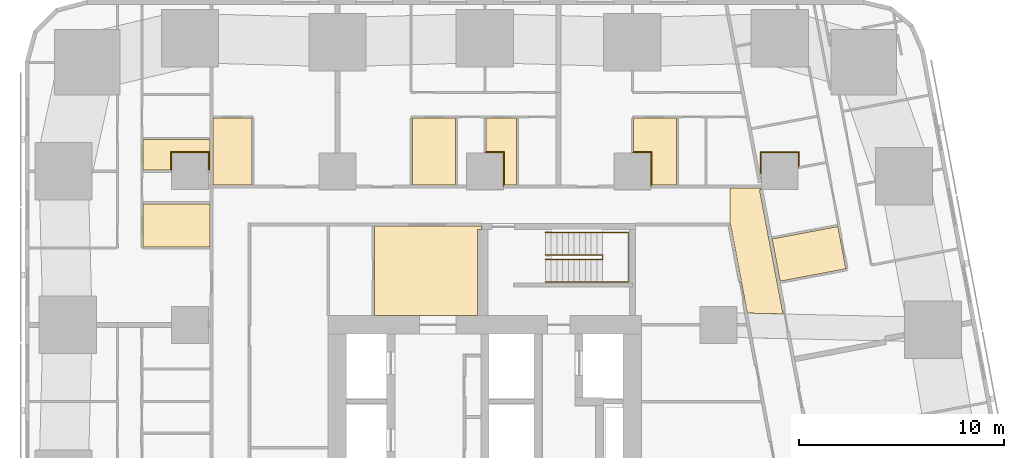
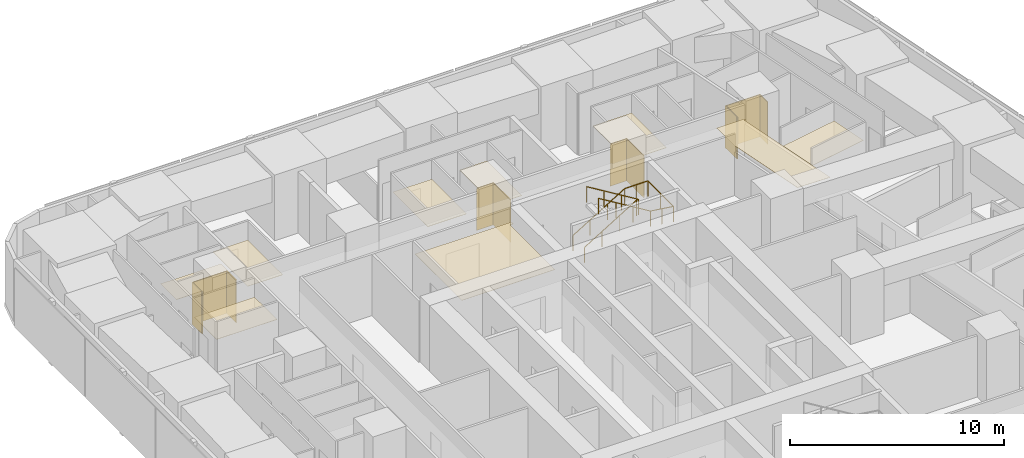
# One storey, part 18 of 18: 13 coverings, 2 railings.
"""IFC4 building model written with IfcOpenShell, lengths in metres."""

from ifc_helpers import new_model, si_unit, direction, frame, origin, origin_2d, place, context, subcontext, project, spatial, polyline, circle, outline, extrude, material, layer, layer_set, type_object, element, save


model = new_model("IFC4")

# Units and contexts
model_context = context("Model", 3, precision=1e-05, world=origin(), true_north=direction((0.0, 1.0)))
body_context = subcontext(model_context, "Body", "Model", "MODEL_VIEW")
ifc_project = project(units=[si_unit("LENGTHUNIT", "METRE"), si_unit("AREAUNIT", "SQUARE_METRE"), si_unit("VOLUMEUNIT", "CUBIC_METRE"), si_unit("PLANEANGLEUNIT", "RADIAN"), si_unit("MASSUNIT", "GRAM", prefix="KILO")], contexts=[model_context])

# Site, building, storey
site_placement = place(None, origin())
site = spatial("IfcSite", under=ifc_project, at=site_placement, CompositionType="ELEMENT")
building_placement = place(site_placement, origin())
building = spatial("IfcBuilding", under=site, at=building_placement, Name="Sheger Commons Tower", CompositionType="ELEMENT")
storey_placement = place(building_placement, frame((0.0, 0.0, 35.0)))
storey = spatial("IfcBuildingStorey", under=building, at=storey_placement, Name="L08", CompositionType="ELEMENT", Elevation=35.0)

# Railings
ifc_material_1 = material(Name="Steel handrail, black powder-coated", Category="steel")
railing_type = type_object("IfcRailingType", Name="HANDRAIL 900", PredefinedType="HANDRAIL", material=ifc_material_1)
railing_1_placement = place(storey_placement, frame((24.550048828125, 33.39990234375, 0.17041015625)))
element("IfcRailing", 1, at=railing_1_placement, inside=storey, type_object=railing_type, Name="Stair S2 handrail L08", PredefinedType="HANDRAIL", context=body_context, shape_type="SweptSolid", body=[
    extrude(circle(Radius=0.02392578125, at=origin_2d()), frame((0.0, 0.0, 0.8759765625), z_axis=(0.854169791009, 0.0, 0.51999420009), x_axis=(0.0, 1.0, 0.0)), (0.0, 0.0, 1.0), 3.278076171875),
    extrude(circle(Radius=0.02392578125, at=origin_2d()), frame((2.800048828125, 0.0, 2.58056640625), z_axis=(0.0, -0.761090297175, 0.648645943136), x_axis=(1.0, 0.0, 0.0)), (0.0, 0.0, 1.0), 0.2626953125),
    extrude(circle(Radius=0.02392578125, at=origin_2d()), frame((2.800048828125, -0.199951171875, 2.7509765625), z_axis=(-0.854169791009, 0.0, 0.51999420009), x_axis=(0.0, -1.0, 0.0)), (0.0, 0.0, 1.0), 3.278076171875),
    extrude(circle(Radius=0.02099609375, at=origin_2d()), origin(), (0.0, 0.0, 1.0), 0.851806640625),
    extrude(circle(Radius=0.02099609375, at=origin_2d()), frame((0.933349609375, 0.0, 0.568115234375)), (0.0, 0.0, 1.0), 0.851806640625),
    extrude(circle(Radius=0.02099609375, at=origin_2d()), frame((1.86669921875, 0.0, 1.136474609375)), (0.0, 0.0, 1.0), 0.851806640625),
    extrude(circle(Radius=0.02099609375, at=origin_2d()), frame((2.800048828125, 0.0, 1.70458984375)), (0.0, 0.0, 1.0), 0.851806640625),
    extrude(circle(Radius=0.02099609375, at=origin_2d()), frame((2.800048828125, -0.199951171875, 1.875)), (0.0, 0.0, 1.0), 0.851806640625),
    extrude(circle(Radius=0.02099609375, at=origin_2d()), frame((1.86669921875, -0.199951171875, 2.443115234375)), (0.0, 0.0, 1.0), 0.851806640625),
    extrude(circle(Radius=0.02099609375, at=origin_2d()), frame((0.933349609375, -0.199951171875, 3.011474609375)), (0.0, 0.0, 1.0), 0.851806640625),
    extrude(circle(Radius=0.02099609375, at=origin_2d()), frame((0.0, -0.199951171875, 3.57958984375)), (0.0, 0.0, 1.0), 0.851806640625),
])
railing_2_placement = place(storey_placement, frame((24.550048828125, 34.5, 0.17041015625)))
element("IfcRailing", 2, at=railing_2_placement, inside=storey, type_object=railing_type, Name="Stair S2 handrail L08", PredefinedType="HANDRAIL", context=body_context, shape_type="SweptSolid", body=[
    extrude(circle(Radius=0.02392578125, at=origin_2d()), frame((0.0, 0.0, 0.8759765625), z_axis=(0.854169791009, 0.0, 0.51999420009), x_axis=(0.0, 1.0, 0.0)), (0.0, 0.0, 1.0), 3.278076171875),
    extrude(circle(Radius=0.02392578125, at=origin_2d()), frame((2.800048828125, 0.0, 2.58056640625), z_axis=(1.0, 0.0, 0.0), x_axis=(0.0, 1.0, 0.0)), (0.0, 0.0, 1.0), 1.25),
    extrude(circle(Radius=0.02392578125, at=origin_2d()), frame((4.050048828125, 0.0, 2.58056640625), z_axis=(0.0, -1.0, 0.0), x_axis=(1.0, 0.0, 0.0)), (0.0, 0.0, 1.0), 2.39990234375),
    extrude(circle(Radius=0.02392578125, at=origin_2d()), frame((4.050048828125, -2.39990234375, 2.58056640625), z_axis=(-0.990834877927, 0.0, 0.135078661092), x_axis=(0.0, -1.0, 0.0)), (0.0, 0.0, 1.0), 1.261474609375),
    extrude(circle(Radius=0.02392578125, at=origin_2d()), frame((2.800048828125, -2.39990234375, 2.7509765625), z_axis=(-0.854169791009, 0.0, 0.51999420009), x_axis=(0.0, -1.0, 0.0)), (0.0, 0.0, 1.0), 3.278076171875),
    extrude(circle(Radius=0.02099609375, at=origin_2d()), origin(), (0.0, 0.0, 1.0), 0.851806640625),
    extrude(circle(Radius=0.02099609375, at=origin_2d()), frame((0.933349609375, 0.0, 0.568115234375)), (0.0, 0.0, 1.0), 0.851806640625),
    extrude(circle(Radius=0.02099609375, at=origin_2d()), frame((1.86669921875, 0.0, 1.136474609375)), (0.0, 0.0, 1.0), 0.851806640625),
    extrude(circle(Radius=0.02099609375, at=origin_2d()), frame((2.800048828125, 0.0, 1.70458984375)), (0.0, 0.0, 1.0), 0.851806640625),
    extrude(circle(Radius=0.02099609375, at=origin_2d()), frame((3.425048828125, 0.0, 1.70458984375)), (0.0, 0.0, 1.0), 0.851806640625),
    extrude(circle(Radius=0.02099609375, at=origin_2d()), frame((4.050048828125, 0.0, 1.70458984375)), (0.0, 0.0, 1.0), 0.851806640625),
    extrude(circle(Radius=0.02099609375, at=origin_2d()), frame((4.050048828125, -1.199951171875, 1.70458984375)), (0.0, 0.0, 1.0), 0.851806640625),
    extrude(circle(Radius=0.02099609375, at=origin_2d()), frame((4.050048828125, -2.39990234375, 1.70458984375)), (0.0, 0.0, 1.0), 0.851806640625),
    extrude(circle(Radius=0.02099609375, at=origin_2d()), frame((3.425048828125, -2.39990234375, 1.789794921875)), (0.0, 0.0, 1.0), 0.851806640625),
    extrude(circle(Radius=0.02099609375, at=origin_2d()), frame((2.800048828125, -2.39990234375, 1.875)), (0.0, 0.0, 1.0), 0.851806640625),
    extrude(circle(Radius=0.02099609375, at=origin_2d()), frame((1.86669921875, -2.39990234375, 2.443115234375)), (0.0, 0.0, 1.0), 0.851806640625),
    extrude(circle(Radius=0.02099609375, at=origin_2d()), frame((0.933349609375, -2.39990234375, 3.011474609375)), (0.0, 0.0, 1.0), 0.851806640625),
    extrude(circle(Radius=0.02099609375, at=origin_2d()), frame((0.0, -2.39990234375, 3.57958984375)), (0.0, 0.0, 1.0), 0.851806640625),
])

# Coverings
ifc_material_2 = material(Name="Moisture-resistant gypsum plasterboard 15 mm on a suspended galvanised steel grid", Category="steel")
ifc_layer_1 = layer(ifc_material_2, 0.014892578125)
ifc_layer_set_1 = layer_set([ifc_layer_1], Name="MOISTURE-RESISTANT CEILING 15")
covering_type_1 = type_object("IfcCoveringType", Name="MOISTURE-RESISTANT CEILING 15", PredefinedType="CEILING", material=ifc_layer_set_1)
covering_1_placement = place(storey_placement, frame((0.0, 0.0, 2.39990234375)))
element("IfcCovering", 3, at=covering_1_placement, inside=storey, type_object=covering_type_1, Name="L08-03.B1 ceiling", PredefinedType="CEILING", context=body_context, shape_type="SweptSolid", body=[
    extrude(outline(polyline([(4.905029296875, 33.804931640625), (8.169921875, 33.804931640625), (8.169921875, 35.905029296875), (4.905029296875, 35.905029296875), (4.905029296875, 33.804931640625)])), origin(), (0.0, 0.0, 1.0), 0.01513671875),
])
covering_2_placement = place(storey_placement, frame((0.0, 0.0, 2.39990234375)))
element("IfcCovering", 4, at=covering_2_placement, inside=storey, type_object=covering_type_1, Name="L08-03.B2 ceiling", PredefinedType="CEILING", context=body_context, shape_type="SweptSolid", body=[
    extrude(outline(polyline([(4.905029296875, 37.554931640625), (6.294921875, 37.554931640625), (6.294921875, 38.405029296875), (8.10498046875, 38.405029296875), (8.10498046875, 37.554931640625), (8.169921875, 37.554931640625), (8.169921875, 39.044921875), (4.905029296875, 39.044921875), (4.905029296875, 37.554931640625)])), origin(), (0.0, 0.0, 1.0), 0.01513671875),
])
covering_3_placement = place(storey_placement, frame((0.0, 0.0, 2.39990234375)))
element("IfcCovering", 5, at=covering_3_placement, inside=storey, type_object=covering_type_1, Name="L08-08.B1 ceiling", PredefinedType="CEILING", context=body_context, shape_type="SweptSolid", body=[
    extrude(outline(polyline([(36.01708984375, 32.1298828125), (39.22412109375, 32.736083984375), (38.833984375, 34.800048828125), (35.626953125, 34.194091796875), (36.01708984375, 32.1298828125)])), origin(), (0.0, 0.0, 1.0), 0.01513671875),
])
covering_4_placement = place(storey_placement, frame((0.0, 0.0, 2.39990234375)))
element("IfcCovering", 6, at=covering_4_placement, inside=storey, type_object=covering_type_1, Name="L08-11.B1 ceiling", PredefinedType="CEILING", context=body_context, shape_type="SweptSolid", body=[
    extrude(outline(polyline([(8.330078125, 36.830078125), (10.22412109375, 36.830078125), (10.22412109375, 40.094970703125), (8.330078125, 40.094970703125), (8.330078125, 36.830078125)])), origin(), (0.0, 0.0, 1.0), 0.01513671875),
])
covering_5_placement = place(storey_placement, frame((0.0, 0.0, 2.39990234375)))
element("IfcCovering", 7, at=covering_5_placement, inside=storey, type_object=covering_type_1, Name="L08-12.B1 ceiling", PredefinedType="CEILING", context=body_context, shape_type="SweptSolid", body=[
    extrude(outline(polyline([(18.054931640625, 36.830078125), (20.155029296875, 36.830078125), (20.155029296875, 40.094970703125), (18.054931640625, 40.094970703125), (18.054931640625, 36.830078125)])), origin(), (0.0, 0.0, 1.0), 0.01513671875),
])
covering_6_placement = place(storey_placement, frame((0.0, 0.0, 2.39990234375)))
element("IfcCovering", 8, at=covering_6_placement, inside=storey, type_object=covering_type_1, Name="L08-12.B2 ceiling", PredefinedType="CEILING", context=body_context, shape_type="SweptSolid", body=[
    extrude(outline(polyline([(22.5048828125, 36.830078125), (23.14501953125, 36.830078125), (23.14501953125, 40.094970703125), (21.655029296875, 40.094970703125), (21.655029296875, 38.405029296875), (22.5048828125, 38.405029296875), (22.5048828125, 36.830078125)])), origin(), (0.0, 0.0, 1.0), 0.01513671875),
])
covering_7_placement = place(storey_placement, frame((0.0, 0.0, 2.39990234375)))
element("IfcCovering", 9, at=covering_7_placement, inside=storey, type_object=covering_type_1, Name="L08-13.B1 ceiling", PredefinedType="CEILING", context=body_context, shape_type="SweptSolid", body=[
    extrude(outline(polyline([(29.705078125, 36.830078125), (30.955078125, 36.830078125), (30.955078125, 40.094970703125), (28.85498046875, 40.094970703125), (28.85498046875, 38.405029296875), (29.705078125, 38.405029296875), (29.705078125, 36.830078125)])), origin(), (0.0, 0.0, 1.0), 0.01513671875),
])
ifc_material_3 = material(Name="Gypsum plasterboard 15 mm on a suspended steel grid", Category="steel")
ifc_layer_2 = layer(ifc_material_3, 0.014892578125)
ifc_layer_set_2 = layer_set([ifc_layer_2], Name="SUSPENDED CEILING 15")
covering_type_2 = type_object("IfcCoveringType", Name="SUSPENDED CEILING 15", PredefinedType="CEILING", material=ifc_layer_set_2)
covering_8_placement = place(storey_placement, frame((0.0, 0.0, 2.699951171875)))
element("IfcCovering", 10, at=covering_8_placement, inside=storey, type_object=covering_type_2, Name="L08-CO ceiling", PredefinedType="CEILING", context=body_context, shape_type="SweptSolid", body=[
    extrude(outline(polyline([(36.155029296875, 30.533935546875), (35.013916015625, 36.574951171875), (35.092041015625, 36.590087890625), (35.076904296875, 36.669921875), (33.572998046875, 36.669921875), (33.572998046875, 34.947998046875), (33.571044921875, 34.947998046875), (33.589111328125, 34.85205078125), (33.60595703125, 34.85498046875), (34.4150390625, 30.572998046875), (36.155029296875, 30.533935546875)])), origin(), (0.0, 0.0, 1.0), 0.01513671875),
])
covering_9_placement = place(storey_placement, frame((0.0, 0.0, 2.699951171875)))
element("IfcCovering", 11, at=covering_9_placement, inside=storey, type_object=covering_type_2, Name="L08-SVN1 ceiling", PredefinedType="CEILING", context=body_context, shape_type="SweptSolid", body=[
    extrude(outline(polyline([(16.217041015625, 30.455078125), (21.2451171875, 30.455078125), (21.2451171875, 34.655029296875), (21.445068359375, 34.655029296875), (21.445068359375, 34.83203125), (16.217041015625, 34.83203125), (16.217041015625, 30.455078125)])), origin(), (0.0, 0.0, 1.0), 0.01513671875),
])
ifc_material_4 = material(Name="Moisture-resistant gypsum board 12.5 mm on 25 mm treated timber battens, tanked and tiled", Category="wood")
ifc_layer_3 = layer(ifc_material_4, 0.050048828125)
ifc_layer_set_3 = layer_set([ifc_layer_3], Name="WET-ROOM COLUMN LINING")
covering_type_3 = type_object("IfcCoveringType", Name="WET-ROOM COLUMN LINING", PredefinedType="CLADDING", material=ifc_layer_set_3)
covering_10_placement = place(storey_placement, origin())
element("IfcCovering", 12, at=covering_10_placement, inside=storey, type_object=covering_type_3, Name="Shower room column lining C8 L08", PredefinedType="CLADDING", context=body_context, shape_type="SweptSolid", body=[
    extrude(outline(polyline([(8.14990234375, 38.449951171875), (8.14990234375, 37.550048828125), (8.10107421875, 37.550048828125), (8.10107421875, 37.5), (8.10009765625, 37.5), (8.10009765625, 38.39990234375), (6.300048828125, 38.39990234375), (6.300048828125, 37.5), (6.299072265625, 37.5), (6.299072265625, 37.550048828125), (6.25, 37.550048828125), (6.25, 38.449951171875), (8.14990234375, 38.449951171875)])), origin(), (0.0, 0.0, 1.0), 2.39990234375),
])
covering_11_placement = place(storey_placement, origin())
element("IfcCovering", 13, at=covering_11_placement, inside=storey, type_object=covering_type_3, Name="Shower room column lining C8 L08", PredefinedType="CLADDING", context=body_context, shape_type="SweptSolid", body=[
    extrude(outline(polyline([(22.550048828125, 36.824951171875), (22.5009765625, 36.824951171875), (22.5009765625, 36.75), (22.5, 36.75), (22.5, 38.39990234375), (21.60009765625, 38.39990234375), (21.60009765625, 38.40087890625), (21.64990234375, 38.40087890625), (21.64990234375, 38.449951171875), (22.550048828125, 38.449951171875), (22.550048828125, 36.824951171875)])), origin(), (0.0, 0.0, 1.0), 2.39990234375),
])
covering_12_placement = place(storey_placement, origin())
element("IfcCovering", 14, at=covering_12_placement, inside=storey, type_object=covering_type_3, Name="Bathroom column lining C8 L08", PredefinedType="CLADDING", context=body_context, shape_type="SweptSolid", body=[
    extrude(outline(polyline([(29.75, 36.824951171875), (29.700927734375, 36.824951171875), (29.700927734375, 36.75), (29.699951171875, 36.75), (29.699951171875, 38.39990234375), (28.800048828125, 38.39990234375), (28.800048828125, 38.40087890625), (28.85009765625, 38.40087890625), (28.85009765625, 38.449951171875), (29.75, 38.449951171875), (29.75, 36.824951171875)])), origin(), (0.0, 0.0, 1.0), 2.39990234375),
])
covering_13_placement = place(storey_placement, origin())
element("IfcCovering", 15, at=covering_13_placement, inside=storey, type_object=covering_type_3, Name="Laundry room column lining C8 L08", PredefinedType="CLADDING", context=body_context, shape_type="SweptSolid", body=[
    extrude(outline(polyline([(36.949951171875, 38.449951171875), (36.949951171875, 37.72998046875), (36.90087890625, 37.720947265625), (36.909912109375, 37.672119140625), (36.89990234375, 37.669921875), (36.89990234375, 38.39990234375), (35.10009765625, 38.39990234375), (35.10009765625, 37.330078125), (35.090087890625, 37.327880859375), (35.0810546875, 37.376953125), (35.050048828125, 37.37109375), (35.050048828125, 38.449951171875), (36.949951171875, 38.449951171875)])), origin(), (0.0, 0.0, 1.0), 2.39990234375),
])

save(model, "model.ifc")
